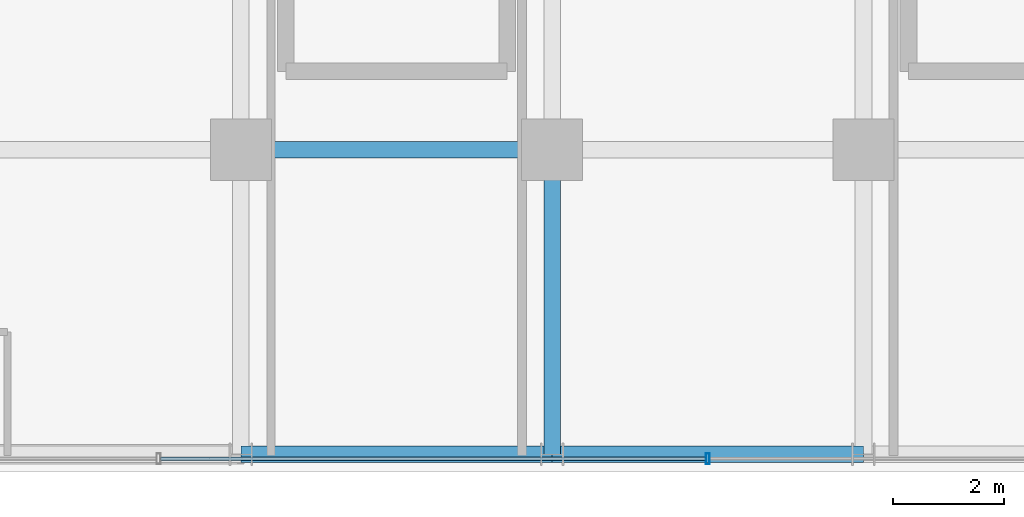
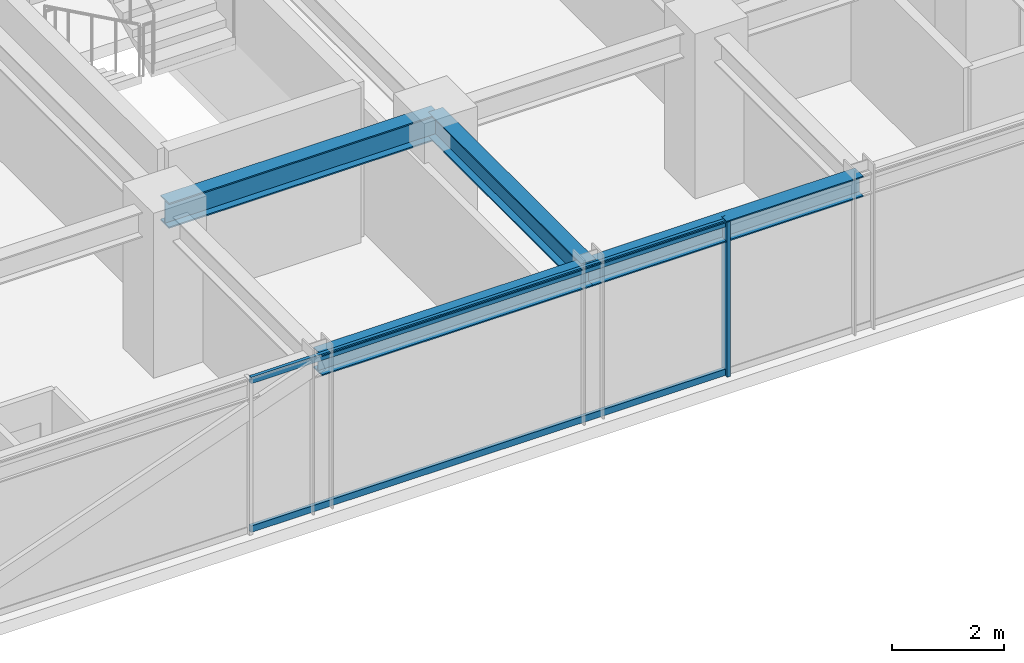
# One storey, part 6 of 43: 4 beams, 3 members, 1 element without a shape of its own.
"""IFC4 building model written with IfcOpenShell, lengths in metres."""

from ifc_helpers import new_model, si_unit, direction, frame, origin, origin_2d, place, context, subcontext, project, spatial, hollow_rectangle, i_section, extrude, source, transform, mapped, material, material_profile, profile_set, type_object, element, aggregate, save


model = new_model("IFC4")

# Units and contexts
model_context = context("Model", 3, precision=1e-05, world=origin(), true_north=direction((0.0, 1.0)))
body_context = subcontext(model_context, "Body", "Model", "MODEL_VIEW")
ifc_project = project(units=[si_unit("LENGTHUNIT", "METRE"), si_unit("AREAUNIT", "SQUARE_METRE"), si_unit("VOLUMEUNIT", "CUBIC_METRE"), si_unit("PLANEANGLEUNIT", "RADIAN"), si_unit("MASSUNIT", "GRAM", prefix="KILO")], contexts=[model_context])

# Site, building, storey
site_placement = place(None, origin())
site = spatial("IfcSite", under=ifc_project, at=site_placement, CompositionType="ELEMENT")
building_placement = place(site_placement, origin())
building = spatial("IfcBuilding", under=site, at=building_placement, Name="Nahalor Promenade Grand Hotel", CompositionType="ELEMENT")
storey_placement = place(building_placement, frame((0.0, 0.0, 181.85009765625)))
storey = spatial("IfcBuildingStorey", under=building, at=storey_placement, Name="L46", CompositionType="ELEMENT", Elevation=181.85009765625)

# Beams
ifc_material_1 = material(Name="Steel S355JR", Category="steel")
ifc_material_profile_1 = material_profile(ifc_material_1, i_section(OverallWidth=0.3, OverallDepth=0.55, WebThickness=0.015, FlangeThickness=0.029, at=origin_2d()), Name="HEB 550")
ifc_profile_set_1 = profile_set([ifc_material_profile_1], Name="Steel S355JR")
beam_type_1 = type_object("IfcBeamType", Name="Beam-Girder-HEB550", PredefinedType="BEAM", material=ifc_profile_set_1)
shared_shape_1 = source(origin(), body_context, "Body", "SweptSolid", [
    extrude(i_section(OverallWidth=0.3, OverallDepth=0.55, WebThickness=0.015, FlangeThickness=0.029, at=origin_2d()), origin(), (0.0, 0.0, 1.0), 5.599853515625),
])
beam_1_placement = place(storey_placement, frame((-8.39990234375, -17.0, 3.114990234375), z_axis=(1.0, 0.0, 0.0), x_axis=(0.0, 1.0, 0.0)))
element("IfcBeam", 1, at=beam_1_placement, inside=storey, type_object=beam_type_1, Name="BM-L46-GX-0-2", PredefinedType="BEAM", context=body_context, shape_type="MappedRepresentation", body=[
    mapped(shared_shape_1, transform((0.0, 0.0, 0.0), scale=1.0)),
])
shared_shape_2 = source(origin(), body_context, "Body", "SweptSolid", [
    extrude(i_section(OverallWidth=0.3, OverallDepth=0.55, WebThickness=0.015, FlangeThickness=0.029, at=origin_2d()), origin(), (0.0, 0.0, 1.0), 5.47998046875),
])
beam_2_placement = place(storey_placement, frame((-2.800048828125, -22.47998046875, 3.114990234375), z_axis=(0.0, 1.0, 0.0), x_axis=(-1.0, 0.0, 0.0)))
element("IfcBeam", 2, at=beam_2_placement, inside=storey, type_object=beam_type_1, Name="BM-L46-GY-2-0", PredefinedType="BEAM", context=body_context, shape_type="MappedRepresentation", body=[
    mapped(shared_shape_2, transform((0.0, 0.0, 0.0), scale=1.0)),
])
ifc_material_profile_2 = material_profile(ifc_material_1, i_section(OverallWidth=0.3, OverallDepth=0.45, WebThickness=0.014, FlangeThickness=0.026, at=origin_2d()), Name="HEB 450")
ifc_profile_set_2 = profile_set([ifc_material_profile_2], Name="Steel S355JR")
beam_type_2 = type_object("IfcBeamType", Name="Beam-Spandrel-HEB450", PredefinedType="SPANDREL", material=ifc_profile_set_2)
shared_shape_3 = source(origin(), body_context, "Body", "SweptSolid", [
    extrude(i_section(OverallWidth=0.3, OverallDepth=0.45, WebThickness=0.014, FlangeThickness=0.026, at=origin_2d()), origin(), (0.0, 0.0, 1.0), 5.599853515625),
])
beam_3_placement = place(storey_placement, frame((-8.39990234375, -22.47998046875, 3.164794921875), z_axis=(1.0, 0.0, 0.0), x_axis=(0.0, 1.0, 0.0)))
element("IfcBeam", 3, at=beam_3_placement, inside=storey, type_object=beam_type_2, Name="BM-L46-SP-S-1", PredefinedType="SPANDREL", context=body_context, shape_type="MappedRepresentation", body=[
    mapped(shared_shape_3, transform((0.0, 0.0, 0.0), scale=1.0)),
])
shared_shape_4 = source(origin(), body_context, "Body", "SweptSolid", [
    extrude(i_section(OverallWidth=0.3, OverallDepth=0.45, WebThickness=0.014, FlangeThickness=0.026, at=origin_2d()), origin(), (0.0, 0.0, 1.0), 5.60009765625),
])
beam_4_placement = place(storey_placement, frame((-2.800048828125, -22.47998046875, 3.164794921875), z_axis=(1.0, 0.0, 0.0), x_axis=(0.0, 1.0, 0.0)))
element("IfcBeam", 4, at=beam_4_placement, inside=storey, type_object=beam_type_2, Name="BM-L46-SP-S-2", PredefinedType="SPANDREL", context=body_context, shape_type="MappedRepresentation", body=[
    mapped(shared_shape_4, transform((0.0, 0.0, 0.0), scale=1.0)),
])

# Curtain wall, members
ifc_material_2 = material(Name="Anodised Bronze Aluminium EN AW-6063 T6", Category="aluminium")
curtain_wall_type = type_object("IfcCurtainWallType", Name="CW3 Elliptical-Void Collar Unitised Curtain Wall", PredefinedType="USERDEFINED", material=ifc_material_2)
curtain_wall_placement = place(storey_placement, origin())
curtain_wall = element("IfcCurtainWall", 5, at=curtain_wall_placement, inside=storey, type_object=curtain_wall_type, Name="L46 Curtain Wall CW-L46-S-1", ObjectType="UNITISED_CURTAIN_WALL", PredefinedType="USERDEFINED")
ifc_material_profile_3 = material_profile(ifc_material_2, hollow_rectangle(XDim=0.07, YDim=0.14, WallThickness=0.004, at=origin_2d()), Name="CWT 70x140x4")
ifc_profile_set_3 = profile_set([ifc_material_profile_3], Name="Anodised Bronze Aluminium EN AW-6063 T6")
member_type_1 = type_object("IfcMemberType", Name="CWT3 Void Collar Transom 70x140", PredefinedType="USERDEFINED", material=ifc_profile_set_3)
shared_shape_5 = source(origin(), body_context, "Body", "SweptSolid", [
    extrude(hollow_rectangle(XDim=0.07, YDim=0.14, WallThickness=0.004, at=origin_2d()), origin(), (0.0, 0.0, 1.0), 9.81005859375),
])
member_1_placement = place(storey_placement, frame((-9.844970703125, -22.56005859375, 0.06982421875), z_axis=(1.0, 0.0, 0.0), x_axis=(0.0, 1.0, 0.0)))
member_1 = element("IfcMember", 6, at=member_1_placement, type_object=member_type_1, Name="CW-L46-S-1 Transom 1-0", ObjectType="TRANSOM", PredefinedType="USERDEFINED", context=body_context, shape_type="MappedRepresentation", body=[
    mapped(shared_shape_5, transform((0.0, 0.0, 0.0), scale=1.0)),
])
member_2_placement = place(storey_placement, frame((-9.844970703125, -22.56005859375, 3.31982421875), z_axis=(1.0, 0.0, 0.0), x_axis=(0.0, 1.0, 0.0)))
member_2 = element("IfcMember", 7, at=member_2_placement, type_object=member_type_1, Name="CW-L46-S-1 Transom 1-1", ObjectType="TRANSOM", PredefinedType="USERDEFINED", context=body_context, shape_type="MappedRepresentation", body=[
    mapped(shared_shape_5, transform((0.0, 0.0, 0.0), scale=1.0)),
])
ifc_material_profile_4 = material_profile(ifc_material_2, hollow_rectangle(XDim=0.07, YDim=0.2, WallThickness=0.005, at=origin_2d()), Name="CWM 70x200x5")
ifc_profile_set_4 = profile_set([ifc_material_profile_4], Name="Anodised Bronze Aluminium EN AW-6063 T6")
member_type_2 = type_object("IfcMemberType", Name="CWM3 Void Collar Mullion 70x200", PredefinedType="MULLION", material=ifc_profile_set_4)
shared_shape_6 = source(origin(), body_context, "Body", "SweptSolid", [
    extrude(hollow_rectangle(XDim=0.07, YDim=0.2, WallThickness=0.005, at=origin_2d()), origin(), (0.0, 0.0, 1.0), 3.389892578125),
])
member_3_placement = place(storey_placement, frame((0.0, -22.56005859375, 0.0), z_axis=(0.0, 0.0, 1.0), x_axis=(1.0, 0.0, 0.0)))
member_3 = element("IfcMember", 8, at=member_3_placement, type_object=member_type_2, Name="CW-L46-S-1 Mullion 2", PredefinedType="MULLION", context=body_context, shape_type="MappedRepresentation", body=[
    mapped(shared_shape_6, transform((0.0, 0.0, 0.0), scale=1.0)),
])
aggregate(curtain_wall, [member_3, member_1, member_2])

save(model, "model.ifc")
